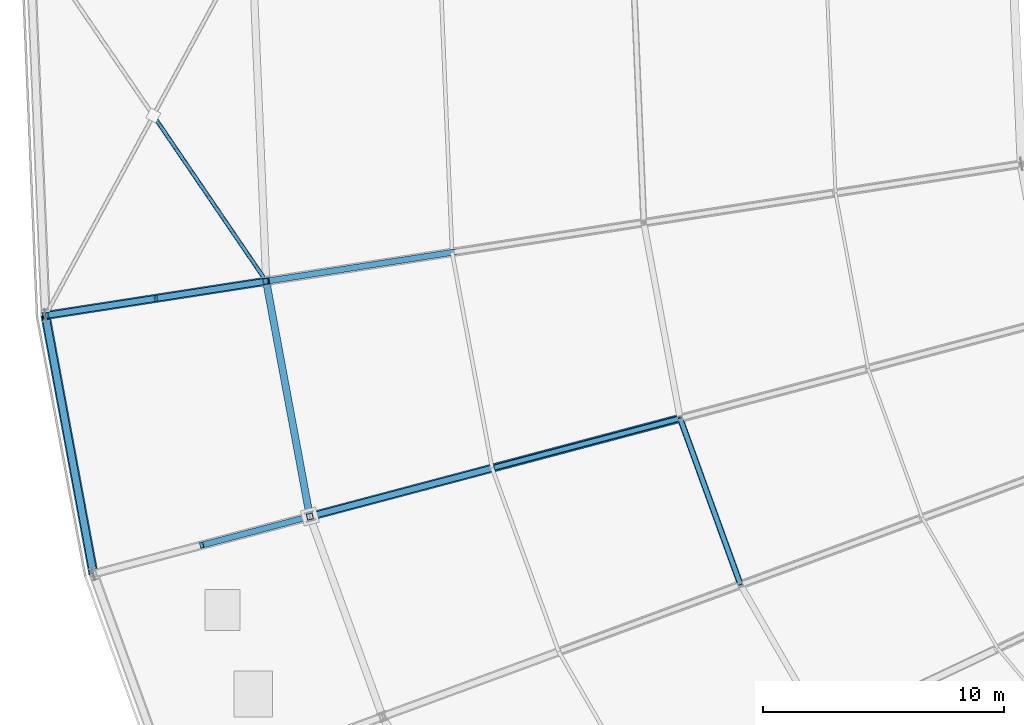
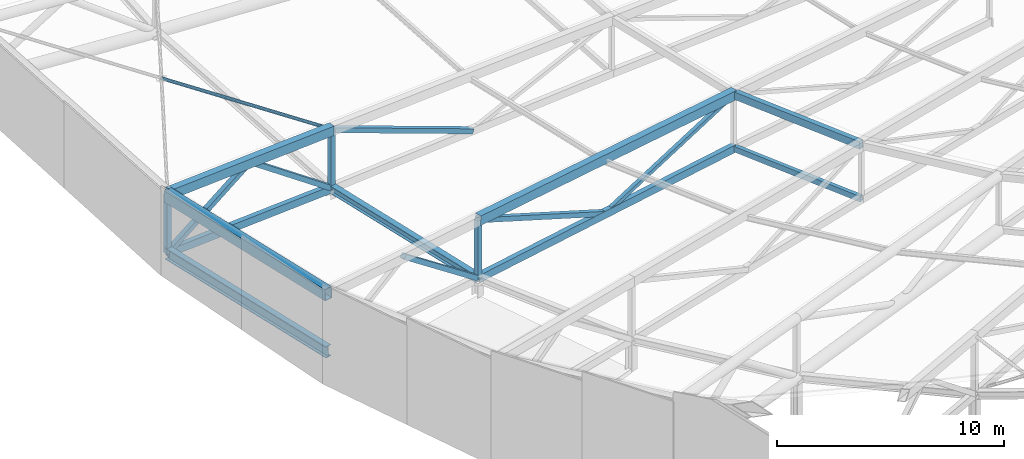
# One storey, part 24 of 143: 11 members, 8 beams.
"""IFC4 building model written with IfcOpenShell, lengths in metres."""

from ifc_helpers import new_model, si_unit, direction, frame, origin, origin_2d, place, context, subcontext, project, spatial, hollow_rectangle, hollow_circle, i_section, extrude, material, material_profile, profile_set, type_object, element, save


model = new_model("IFC4")

# Units and contexts
model_context = context("Model", 3, precision=1e-05, world=origin(), true_north=direction((0.0, 1.0)))
body_context = subcontext(model_context, "Body", "Model", "MODEL_VIEW")
ifc_project = project(units=[si_unit("LENGTHUNIT", "METRE"), si_unit("AREAUNIT", "SQUARE_METRE"), si_unit("VOLUMEUNIT", "CUBIC_METRE"), si_unit("PLANEANGLEUNIT", "RADIAN"), si_unit("MASSUNIT", "GRAM", prefix="KILO")], contexts=[model_context])

# Site, building, storey
site_placement = place(None, origin())
site = spatial("IfcSite", under=ifc_project, at=site_placement, CompositionType="ELEMENT")
building_placement = place(site_placement, origin())
building = spatial("IfcBuilding", under=site, at=building_placement, Name="Mphavela Belvedere Stadium", CompositionType="ELEMENT")
storey_placement = place(building_placement, frame((0.0, 0.0, 28.800048828125)))
storey = spatial("IfcBuildingStorey", under=building, at=storey_placement, Name="RF", CompositionType="ELEMENT", Elevation=28.800048828125)

# Beams
ifc_material_1 = material(Name="Steel S355", Category="steel")
ifc_material_profile_1 = material_profile(ifc_material_1, hollow_rectangle(XDim=0.25, YDim=0.39990234375, WallThickness=0.01611328125, at=origin_2d()), Name="RHS 400x250x16")
ifc_profile_set_1 = profile_set([ifc_material_profile_1], Name="Steel S355")
beam_type_1 = type_object("IfcBeamType", Name="BM-RING-MID", PredefinedType="BEAM", material=ifc_profile_set_1)
beam_1_placement = place(storey_placement, frame((39.167724609375, 66.89013671875, 2.97705078125), z_axis=(0.340000028407, -0.9371540744, 0.078372326236), x_axis=(0.940045505056, 0.341049041085, 0.0)))
element("IfcBeam", 1, at=beam_1_placement, inside=storey, type_object=beam_type_1, Name="Intermediate roof ring beam RB-MID-27", PredefinedType="BEAM", context=body_context, shape_type="SweptSolid", body=[
    extrude(hollow_rectangle(XDim=0.25, YDim=0.39990234375, WallThickness=0.01611328125, at=origin_2d()), origin(), (0.0, 0.0, 1.0), 7.3671875),
])
ifc_material_2 = material(Name="Steel S355", Category="steel")
ifc_material_profile_2 = material_profile(ifc_material_2, hollow_rectangle(XDim=0.39990234375, YDim=0.60009765625, WallThickness=0.02001953125, at=origin_2d()), Name="RHS 600x400x20")
ifc_profile_set_2 = profile_set([ifc_material_profile_2], Name="Steel S355")
beam_type_2 = type_object("IfcBeamType", Name="BM-RING-OUT", PredefinedType="BEAM", material=ifc_profile_set_2)
beam_2_placement = place(storey_placement, frame((12.844482421875, 71.155029296875, 4.16943359375), z_axis=(0.182465993272, -0.98222864974, 0.043966361346), x_axis=(0.983179372393, 0.18264260648, 0.0)))
element("IfcBeam", 2, at=beam_2_placement, inside=storey, type_object=beam_type_2, Name="Perimeter compression ring beam RB-OUT-26", PredefinedType="BEAM", context=body_context, shape_type="SweptSolid", body=[
    extrude(hollow_rectangle(XDim=0.39990234375, YDim=0.60009765625, WallThickness=0.02001953125, at=origin_2d()), origin(), (0.0, 0.0, 1.0), 10.911376953125),
])
ifc_material_3 = material(Name="Steel S355", Category="steel")
ifc_material_profile_3 = material_profile(ifc_material_3, i_section(OverallWidth=0.300048828125, OverallDepth=0.39990234375, WebThickness=0.013427734375, FlangeThickness=0.02392578125, at=origin_2d()), Name="HEB 400")
ifc_profile_set_3 = profile_set([ifc_material_profile_3], Name="Steel S355")
beam_type_3 = type_object("IfcBeamType", Name="BM-STEEL-HEB400", PredefinedType="BEAM", material=ifc_profile_set_3)
beam_3_placement = place(storey_placement, frame((22.0, 72.5751953125, 0.48046875), z_axis=(0.182461823347, -0.982231515362, 0.043919622619), x_axis=(0.983180217585, 0.182638056683, 0.0)))
element("IfcBeam", 3, at=beam_3_placement, inside=storey, type_object=beam_type_3, Name="Roof bottom-chord tie girder R3-26", PredefinedType="BEAM", context=body_context, shape_type="SweptSolid", body=[
    extrude(i_section(OverallWidth=0.300048828125, OverallDepth=0.39990234375, WebThickness=0.013427734375, FlangeThickness=0.02392578125, at=origin_2d()), origin(), (0.0, 0.0, 1.0), 9.93359375),
])
ifc_material_4 = material(Name="Steel S355", Category="steel")
ifc_material_profile_4 = material_profile(ifc_material_4, i_section(OverallWidth=0.300048828125, OverallDepth=0.60009765625, WebThickness=0.015380859375, FlangeThickness=0.030029296875, at=origin_2d()), Name="HEB 600")
ifc_profile_set_4 = profile_set([ifc_material_profile_4], Name="Steel S355")
beam_type_4 = type_object("IfcBeamType", Name="BM-STEEL-HEB600", PredefinedType="BEAM", material=ifc_profile_set_4)
beam_4_placement = place(storey_placement, frame((12.844482421875, 71.155029296875, 1.074462890625), z_axis=(0.182466172724, -0.982229615749, 0.043944029826), x_axis=(0.983179372393, 0.18264260648, 0.0)))
element("IfcBeam", 4, at=beam_4_placement, inside=storey, type_object=beam_type_4, Name="Roof bottom-chord tie girder R4-26", PredefinedType="BEAM", context=body_context, shape_type="SweptSolid", body=[
    extrude(i_section(OverallWidth=0.300048828125, OverallDepth=0.60009765625, WebThickness=0.015380859375, FlangeThickness=0.030029296875, at=origin_2d()), origin(), (0.0, 0.0, 1.0), 10.911376953125),
])
ifc_material_5 = material(Name="Steel S355", Category="steel")
ifc_material_profile_5 = material_profile(ifc_material_5, hollow_rectangle(XDim=0.25, YDim=0.39990234375, WallThickness=0.01611328125, at=origin_2d()), Name="RHS 400x250x16")
ifc_profile_set_5 = profile_set([ifc_material_profile_5], Name="Steel S355")
beam_type_5 = type_object("IfcBeamType", Name="BM-TRUSS-BC2", PredefinedType="BEAM", material=ifc_profile_set_5)
beam_5_placement = place(storey_placement, frame((12.844482421875, 71.155029296875, 1.074462890625), z_axis=(0.986157749242, 0.152968710897, -0.063980208632), x_axis=(-0.153282761586, 0.988182369303, 0.0)))
element("IfcBeam", 5, at=beam_5_placement, inside=storey, type_object=beam_type_5, Name="Radial roof truss RT-26 bottom chord 1", PredefinedType="BEAM", context=body_context, shape_type="SweptSolid", body=[
    extrude(hollow_rectangle(XDim=0.25, YDim=0.39990234375, WallThickness=0.01611328125, at=origin_2d()), origin(), (0.0, 0.0, 1.0), 9.283935546875),
])
beam_6_placement = place(storey_placement, frame((23.8125, 62.818115234375, 0.916748046875), z_axis=(0.965242685849, 0.255970788732, -0.052777956859), x_axis=(-0.256328040197, 0.966589848803, 0.0)))
element("IfcBeam", 6, at=beam_6_placement, inside=storey, type_object=beam_type_5, Name="Radial roof truss RT-27 bottom chord 2", PredefinedType="BEAM", context=body_context, shape_type="SweptSolid", body=[
    extrude(hollow_rectangle(XDim=0.25, YDim=0.39990234375, WallThickness=0.01611328125, at=origin_2d()), origin(), (0.0, 0.0, 1.0), 15.908203125),
])
ifc_material_6 = material(Name="Steel S355", Category="steel")
ifc_material_profile_6 = material_profile(ifc_material_6, hollow_rectangle(XDim=0.35009765625, YDim=0.5, WallThickness=0.02001953125, at=origin_2d()), Name="RHS 500x350x20")
ifc_profile_set_6 = profile_set([ifc_material_profile_6], Name="Steel S355")
beam_type_6 = type_object("IfcBeamType", Name="BM-TRUSS-TC2", PredefinedType="BEAM", material=ifc_profile_set_6)
beam_7_placement = place(storey_placement, frame((12.844482421875, 71.155029296875, 4.224609375), z_axis=(0.986156089717, 0.152968453478, -0.064006397759), x_axis=(-0.153282761586, 0.988182369303, 0.0)))
element("IfcBeam", 7, at=beam_7_placement, inside=storey, type_object=beam_type_6, Name="Radial roof truss RT-26 top chord 1", PredefinedType="BEAM", context=body_context, shape_type="SweptSolid", body=[
    extrude(hollow_rectangle(XDim=0.35009765625, YDim=0.5, WallThickness=0.02001953125, at=origin_2d()), origin(), (0.0, 0.0, 1.0), 9.283935546875),
])
beam_8_placement = place(storey_placement, frame((23.8125, 62.818115234375, 4.06689453125), z_axis=(0.964323205895, 0.255726953671, -0.068443259259), x_axis=(-0.256328040197, 0.966589848803, 0.0)))
element("IfcBeam", 8, at=beam_8_placement, inside=storey, type_object=beam_type_6, Name="Radial roof truss RT-27 top chord 2", PredefinedType="BEAM", context=body_context, shape_type="SweptSolid", body=[
    extrude(hollow_rectangle(XDim=0.35009765625, YDim=0.5, WallThickness=0.02001953125, at=origin_2d()), origin(), (0.0, 0.0, 1.0), 15.92333984375),
])

# Members
ifc_material_7 = material(Name="Steel S355", Category="steel")
ifc_material_profile_7 = material_profile(ifc_material_7, hollow_rectangle(XDim=0.199951171875, YDim=0.199951171875, WallThickness=0.010009765625, at=origin_2d()), Name="SHS 200x200x10")
ifc_profile_set_7 = profile_set([ifc_material_profile_7], Name="Steel S355")
member_type_1 = type_object("IfcMemberType", Name="MEM-POST-SHS200", PredefinedType="POST", material=ifc_profile_set_7)
member_1_placement = place(storey_placement, frame((31.489990234375, 64.854248046875, 0.4970703125), z_axis=(0.922668992957, 0.24466219576, 0.298030769221), x_axis=(-0.256309874085, 0.966594666055, 0.0)))
element("IfcMember", 9, at=member_1_placement, inside=storey, type_object=member_type_1, Name="Radial roof truss RT-27 web diagonal D4", PredefinedType="POST", context=body_context, shape_type="SweptSolid", body=[
    extrude(hollow_rectangle(XDim=0.199951171875, YDim=0.199951171875, WallThickness=0.010009765625, at=origin_2d()), origin(), (0.0, 0.0, 1.0), 8.3212890625),
])
ifc_material_8 = material(Name="Steel S355", Category="steel")
ifc_material_profile_8 = material_profile(ifc_material_8, hollow_rectangle(XDim=0.25, YDim=0.25, WallThickness=0.012451171875, at=origin_2d()), Name="SHS 250x250x12.5")
ifc_profile_set_8 = profile_set([ifc_material_profile_8], Name="Steel S355")
member_type_2 = type_object("IfcMemberType", Name="MEM-POST-SHS250", PredefinedType="POST", material=ifc_profile_set_8)
member_2_placement = place(storey_placement, frame((12.844482421875, 71.155029296875, 1.074462890625), z_axis=(0.0, 0.0, 1.0), x_axis=(-0.98817491911, -0.153330783737, 0.0)))
element("IfcMember", 10, at=member_2_placement, inside=storey, type_object=member_type_2, Name="Radial roof truss RT-26 post P1", PredefinedType="POST", context=body_context, shape_type="SweptSolid", body=[
    extrude(hollow_rectangle(XDim=0.25, YDim=0.25, WallThickness=0.012451171875, at=origin_2d()), origin(), (0.0, 0.0, 1.0), 3.150146484375),
])
member_3_placement = place(storey_placement, frame((22.0, 72.5751953125, 0.48046875), z_axis=(0.0, 0.0, 1.0), x_axis=(-0.98817491911, -0.153330783737, 0.0)))
element("IfcMember", 11, at=member_3_placement, inside=storey, type_object=member_type_2, Name="Radial roof truss RT-26 post P2", PredefinedType="POST", context=body_context, shape_type="SweptSolid", body=[
    extrude(hollow_rectangle(XDim=0.25, YDim=0.25, WallThickness=0.012451171875, at=origin_2d()), origin(), (0.0, 0.0, 1.0), 3.14990234375),
])
member_4_placement = place(storey_placement, frame((12.844482421875, 71.155029296875, 1.074462890625), z_axis=(0.841419827389, 0.130491646208, 0.5243897447), x_axis=(-0.153253039077, 0.988186979277, 0.0)))
element("IfcMember", 12, at=member_4_placement, inside=storey, type_object=member_type_2, Name="Radial roof truss RT-26 web diagonal D1", PredefinedType="POST", context=body_context, shape_type="SweptSolid", body=[
    extrude(hollow_rectangle(XDim=0.25, YDim=0.25, WallThickness=0.012451171875, at=origin_2d()), origin(), (0.0, 0.0, 1.0), 5.440673828125),
])
member_5_placement = place(storey_placement, frame((17.42236328125, 71.864990234375, 3.927490234375), z_axis=(0.79277750949, 0.122996788006, -0.596972035013), x_axis=(-0.153312485264, 0.988177758231, 0.0)))
element("IfcMember", 13, at=member_5_placement, inside=storey, type_object=member_type_2, Name="Radial roof truss RT-26 web diagonal D2", PredefinedType="POST", context=body_context, shape_type="SweptSolid", body=[
    extrude(hollow_rectangle(XDim=0.25, YDim=0.25, WallThickness=0.012451171875, at=origin_2d()), origin(), (0.0, 0.0, 1.0), 5.774169921875),
])
member_6_placement = place(storey_placement, frame((22.0, 72.5751953125, 3.63037109375), z_axis=(0.902531841022, 0.139967991059, -0.407241006556), x_axis=(-0.153251739391, 0.988187180839, 0.0)))
element("IfcMember", 14, at=member_6_placement, inside=storey, type_object=member_type_2, Name="Radial roof truss RT-26 web diagonal D3", PredefinedType="POST", context=body_context, shape_type="SweptSolid", body=[
    extrude(hollow_rectangle(XDim=0.25, YDim=0.25, WallThickness=0.012451171875, at=origin_2d()), origin(), (0.0, 0.0, 1.0), 8.676025390625),
])
member_7_placement = place(storey_placement, frame((23.8125, 62.818115234375, 0.916748046875), z_axis=(0.0, 0.0, 1.0), x_axis=(-0.966600102017, -0.256289373133, 0.0)))
element("IfcMember", 15, at=member_7_placement, inside=storey, type_object=member_type_2, Name="Radial roof truss RT-27 post P2", PredefinedType="POST", context=body_context, shape_type="SweptSolid", body=[
    extrude(hollow_rectangle(XDim=0.25, YDim=0.25, WallThickness=0.012451171875, at=origin_2d()), origin(), (0.0, 0.0, 1.0), 3.150146484375),
])
member_8_placement = place(storey_placement, frame((19.323974609375, 61.627685546875, 4.385498046875), z_axis=(0.774387876637, 0.205380216833, -0.598449983751), x_axis=(-0.256353504195, 0.966583095697, 0.0)))
element("IfcMember", 16, at=member_8_placement, inside=storey, type_object=member_type_2, Name="Radial roof truss RT-27 web diagonal D2", PredefinedType="POST", context=body_context, shape_type="SweptSolid", body=[
    extrude(hollow_rectangle(XDim=0.25, YDim=0.25, WallThickness=0.012451171875, at=origin_2d()), origin(), (0.0, 0.0, 1.0), 5.796142578125),
])
member_9_placement = place(storey_placement, frame((23.8125, 62.818115234375, 4.06689453125), z_axis=(0.881635737055, 0.233816963368, -0.409936647287), x_axis=(-0.256346206615, 0.966585031104, 0.0)))
element("IfcMember", 17, at=member_9_placement, inside=storey, type_object=member_type_2, Name="Radial roof truss RT-27 web diagonal D3", PredefinedType="POST", context=body_context, shape_type="SweptSolid", body=[
    extrude(hollow_rectangle(XDim=0.25, YDim=0.25, WallThickness=0.012451171875, at=origin_2d()), origin(), (0.0, 0.0, 1.0), 8.708251953125),
])
ifc_material_9 = material(Name="Steel S355", Category="steel")
ifc_material_profile_9 = material_profile(ifc_material_9, hollow_circle(Radius=0.084228515625, WallThickness=0.010009765625, at=origin_2d()), Name="CHS 168.3x10")
ifc_profile_set_9 = profile_set([ifc_material_profile_9], Name="Steel S355")
member_type_3 = type_object("IfcMemberType", Name="MEM-ROOF-XBRACE", PredefinedType="BRACE", material=ifc_profile_set_9)
member_10_placement = place(storey_placement, frame((17.3203125, 79.44921875, 3.83544921875), z_axis=(0.562578952836, -0.826375886689, -0.024653919052), x_axis=(0.826627143362, 0.562750002982, 0.0)))
element("IfcMember", 18, at=member_10_placement, inside=storey, type_object=member_type_3, Name="Roof diaphragm split X-brace B2 25", PredefinedType="BRACE", context=body_context, shape_type="SweptSolid", body=[
    extrude(hollow_circle(Radius=0.084228515625, WallThickness=0.010009765625, at=origin_2d()), origin(), (0.0, 0.0, 1.0), 8.318359375),
])
ifc_material_10 = material(Name="Steel S355", Category="steel")
ifc_material_profile_10 = material_profile(ifc_material_10, hollow_rectangle(XDim=0.199951171875, YDim=0.300048828125, WallThickness=0.011962890625, at=origin_2d()), Name="RHS 300x200x12")
ifc_profile_set_10 = profile_set([ifc_material_profile_10], Name="Steel S355")
member_type_4 = type_object("IfcMemberType", Name="MEM-SEC-CHORD", PredefinedType="CHORD", material=ifc_profile_set_10)
member_11_placement = place(storey_placement, frame((39.167724609375, 66.89013671875, 0.0771484375), z_axis=(0.340000028407, -0.9371540744, 0.078372326236), x_axis=(0.940045505056, 0.341049041085, 0.0)))
element("IfcMember", 19, at=member_11_placement, inside=storey, type_object=member_type_4, Name="Secondary bottom roof tie chord 27", PredefinedType="CHORD", context=body_context, shape_type="SweptSolid", body=[
    extrude(hollow_rectangle(XDim=0.199951171875, YDim=0.300048828125, WallThickness=0.011962890625, at=origin_2d()), origin(), (0.0, 0.0, 1.0), 7.3671875),
])

save(model, "model.ifc")
